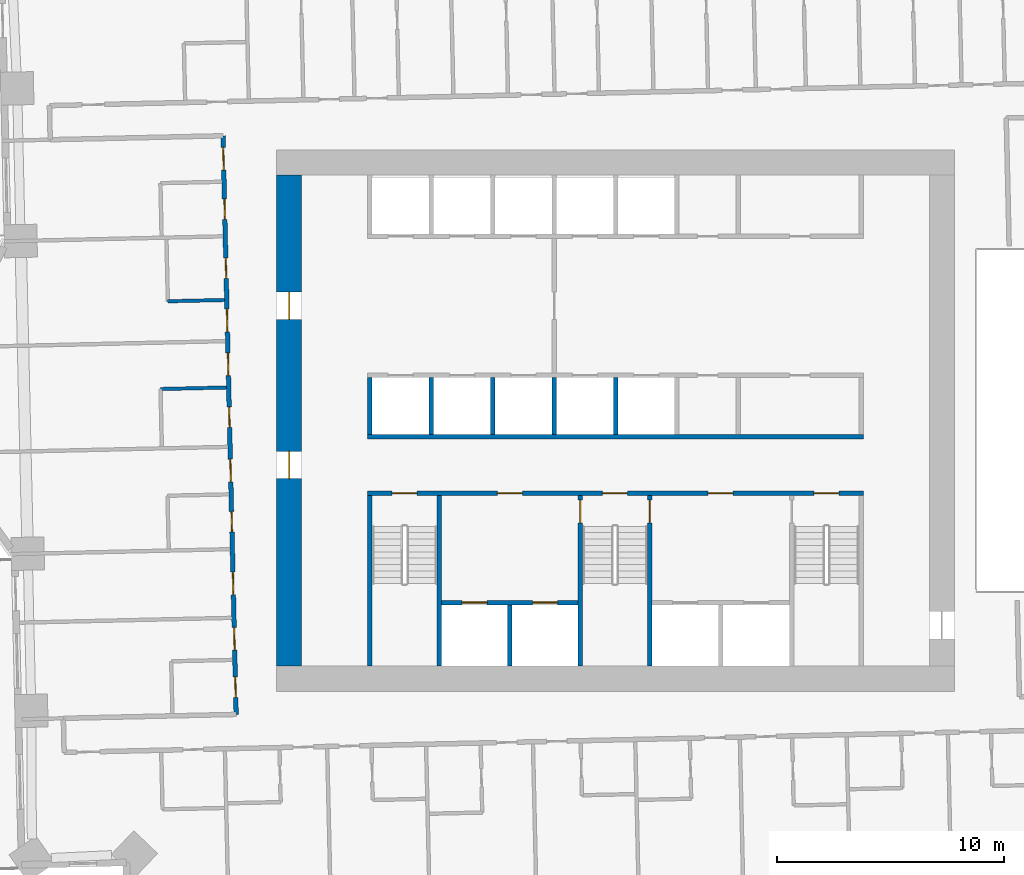
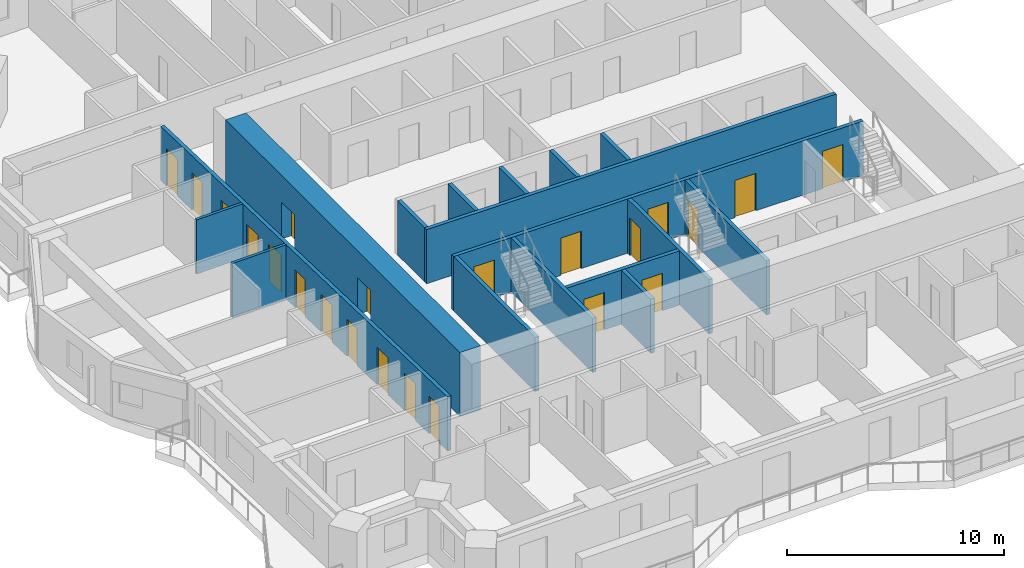
# One storey, part 8 of 17: 22 doors, 17 walls, 22 openings.
"""IFC4 building model written with IfcOpenShell, lengths in metres."""

from ifc_helpers import new_model, si_unit, direction, frame, frame_2d, origin, place, context, subcontext, project, spatial, rectangle, extrude, material, layer, layer_set, type_object, element, fill, save


model = new_model("IFC4")

# Units and contexts
model_context = context("Model", 3, precision=1e-05, world=origin(), true_north=direction((0.0, 1.0)))
body_context = subcontext(model_context, "Body", "Model", "MODEL_VIEW")
ifc_project = project(units=[si_unit("LENGTHUNIT", "METRE"), si_unit("AREAUNIT", "SQUARE_METRE"), si_unit("VOLUMEUNIT", "CUBIC_METRE"), si_unit("PLANEANGLEUNIT", "RADIAN"), si_unit("MASSUNIT", "GRAM", prefix="KILO")], contexts=[model_context])

# Site, building, storey
site_placement = place(None, origin())
site = spatial("IfcSite", under=ifc_project, at=site_placement, CompositionType="ELEMENT")
building_placement = place(site_placement, origin())
building = spatial("IfcBuilding", under=site, at=building_placement, Name="Mangrove Gate Tower", CompositionType="ELEMENT")
storey_placement = place(building_placement, frame((0.0, 0.0, 79.300048828125)))
storey = spatial("IfcBuildingStorey", under=building, at=storey_placement, Name="L19", CompositionType="ELEMENT", Elevation=79.300048828125)

# Wall
ifc_material_1 = material(Name="Concrete C70/85", Category="concrete")
ifc_layer_1 = layer(ifc_material_1, 0.199951171875)
ifc_layer_set_1 = layer_set([ifc_layer_1], Name="Core shaft wall 200 C70/85")
wall_type_1 = type_object("IfcWallType", Name="Core shaft wall 200 C70/85", PredefinedType="SHEAR", material=ifc_layer_set_1)
wall_1_placement = place(storey_placement, frame((-10.89990234375, -0.699951171875, 0.0), z_axis=(0.0, 0.0, 1.0), x_axis=(1.0, 0.0, 0.0)))
element("IfcWall", 1, at=wall_1_placement, inside=storey, type_object=wall_type_1, Name="WALL-L19-CORE-6", PredefinedType="SHEAR", context=body_context, shape_type="SweptSolid", body=[
    extrude(rectangle(XDim=21.7998046875, YDim=0.199951171875, at=frame_2d((10.89990234375, 0.0))), origin(), (0.0, 0.0, 1.0), 3.050048828125),
])

# Wall, openings, doors
wall_2_placement = place(storey_placement, frame((-7.64990234375, -8.0, 0.0), z_axis=(0.0, 0.0, 1.0), x_axis=(1.0, 0.0, 0.0)))
wall_2 = element("IfcWall", 2, at=wall_2_placement, inside=storey, type_object=wall_type_1, Name="WALL-L19-CORE-15", PredefinedType="SHEAR", context=body_context, shape_type="SweptSolid", body=[
    extrude(rectangle(XDim=6.0, YDim=0.199951171875, at=frame_2d((3.0, 0.0))), origin(), (0.0, 0.0, 1.0), 3.050048828125),
])
opening_1_placement = place(wall_2_placement, frame((0.89990234375, 0.0, 0.0)))
opening_1 = element("IfcOpeningElement", 3, at=opening_1_placement, cuts=wall_2, Name="Opening LD", PredefinedType="OPENING", context=body_context, shape_type="SweptSolid", body=[
    extrude(rectangle(XDim=1.10009765625, YDim=2.10009765625, at=frame_2d((0.550048828125, 1.050048828125))), frame((0.0, 0.10986328125, 0.0), z_axis=(0.0, -1.0, 0.0), x_axis=(1.0, 0.0, 0.0)), (0.0, 0.0, 1.0), 0.219970703125),
])
opening_2_placement = place(wall_2_placement, frame((4.0, 0.0, 0.0)))
opening_2 = element("IfcOpeningElement", 4, at=opening_2_placement, cuts=wall_2, Name="Opening LD", PredefinedType="OPENING", context=body_context, shape_type="SweptSolid", body=[
    extrude(rectangle(XDim=1.10009765625, YDim=2.10009765625, at=frame_2d((0.550048828125, 1.050048828125))), frame((0.0, 0.10986328125, 0.0), z_axis=(0.0, -1.0, 0.0), x_axis=(1.0, 0.0, 0.0)), (0.0, 0.0, 1.0), 0.219970703125),
])
ifc_material_2 = material(Name="Stainless steel 316", Category="steel")
door_type_1 = type_object("IfcDoorType", Name="Lift landing door 1100x2100", OperationType="SLIDING_TO_LEFT", PredefinedType="DOOR", material=ifc_material_2)
door_1_placement = place(opening_1_placement, origin())
door_1 = element("IfcDoor", 5, at=door_1_placement, inside=storey, type_object=door_type_1, Name="Landing door LD SVL1", OperationType="SLIDING_TO_LEFT", OverallHeight=2.10009765625, OverallWidth=1.10009765625, PredefinedType="DOOR", context=body_context, shape_type="SweptSolid", body=[
    extrude(rectangle(XDim=1.10009765625, YDim=2.10009765625, at=frame_2d((0.550048828125, 1.050048828125))), frame((0.0, 0.02490234375, 0.0), z_axis=(0.0, -1.0, 0.0), x_axis=(1.0, 0.0, 0.0)), (0.0, 0.0, 1.0), 0.050048828125),
])
fill(opening_1, door_1)
door_2_placement = place(opening_2_placement, origin())
door_2 = element("IfcDoor", 6, at=door_2_placement, inside=storey, type_object=door_type_1, Name="Landing door LD SVL2", OperationType="SLIDING_TO_LEFT", OverallHeight=2.10009765625, OverallWidth=1.10009765625, PredefinedType="DOOR", context=body_context, shape_type="SweptSolid", body=[
    extrude(rectangle(XDim=1.10009765625, YDim=2.10009765625, at=frame_2d((0.550048828125, 1.050048828125))), frame((0.0, 0.02490234375, 0.0), z_axis=(0.0, -1.0, 0.0), x_axis=(1.0, 0.0, 0.0)), (0.0, 0.0, 1.0), 0.050048828125),
])
fill(opening_2, door_2)

# Walls
wall_3_placement = place(storey_placement, frame((-4.64990234375, -10.800048828125, 0.0), z_axis=(0.0, 0.0, 1.0), x_axis=(0.0, 1.0, 0.0)))
element("IfcWall", 7, at=wall_3_placement, inside=storey, type_object=wall_type_1, Name="WALL-L19-CORE-16", PredefinedType="SHEAR", context=body_context, shape_type="SweptSolid", body=[
    extrude(rectangle(XDim=2.699951171875, YDim=0.199951171875, at=frame_2d((1.35009765625, 0.0))), origin(), (0.0, 0.0, 1.0), 3.050048828125),
])
for number, where, z_axis, x_axis, name in (
    (8, (-10.800048828125, -0.60009765625, 0.0), (0.0, 0.0, 1.0), (0.0, 1.0, 0.0), "WALL-L19-CORE-19"),
    (9, (-8.10009765625, -0.60009765625, 0.0), (0.0, 0.0, 1.0), (0.0, 1.0, 0.0), "WALL-L19-CORE-20"),
    (10, (-5.39990234375, -0.60009765625, 0.0), (0.0, 0.0, 1.0), (0.0, 1.0, 0.0), "WALL-L19-CORE-21"),
    (11, (-2.699951171875, -0.60009765625, 0.0), (0.0, 0.0, 1.0), (0.0, 1.0, 0.0), "WALL-L19-CORE-22"),
    (12, (0.0, -0.60009765625, 0.0), (0.0, 0.0, 1.0), (0.0, 1.0, 0.0), "WALL-L19-CORE-23"),
):
    element("IfcWall", number, at=place(storey_placement, frame(where, z_axis=z_axis, x_axis=x_axis)), inside=storey, type_object=wall_type_1, Name=name, PredefinedType="SHEAR", context=body_context, shape_type="SweptSolid", body=[
        extrude(rectangle(XDim=2.5, YDim=0.199951171875, at=frame_2d((1.25, 0.0))), origin(), (0.0, 0.0, 1.0), 3.050048828125),
    ])

# Wall, openings, doors
ifc_material_3 = material(Name="Concrete C70/85", Category="concrete")
ifc_layer_2 = layer(ifc_material_3, 0.199951171875)
ifc_layer_set_2 = layer_set([ifc_layer_2], Name="Core stair wall 200 C70/85")
wall_type_2 = type_object("IfcWallType", Name="Core stair wall 200 C70/85", PredefinedType="SHEAR", material=ifc_layer_set_2)
wall_4_placement = place(storey_placement, frame((-10.89990234375, -3.199951171875, 0.0), z_axis=(0.0, 0.0, 1.0), x_axis=(1.0, 0.0, 0.0)))
wall_4 = element("IfcWall", 13, at=wall_4_placement, inside=storey, type_object=wall_type_2, Name="WALL-L19-CORE-5", PredefinedType="SHEAR", context=body_context, shape_type="SweptSolid", body=[
    extrude(rectangle(XDim=21.7998046875, YDim=0.199951171875, at=frame_2d((10.89990234375, 0.0))), origin(), (0.0, 0.0, 1.0), 3.050048828125),
])
opening_3_placement = place(wall_4_placement, frame((1.074951171875, 0.0, 0.0)))
opening_3 = element("IfcOpeningElement", 14, at=opening_3_placement, cuts=wall_4, Name="Opening STD11", PredefinedType="OPENING", context=body_context, shape_type="SweptSolid", body=[
    extrude(rectangle(XDim=1.10009765625, YDim=2.10009765625, at=frame_2d((0.550048828125, 1.050048828125))), frame((0.0, 0.10986328125, 0.0), z_axis=(0.0, -1.0, 0.0), x_axis=(1.0, 0.0, 0.0)), (0.0, 0.0, 1.0), 0.219970703125),
])
opening_4_placement = place(wall_4_placement, frame((10.324951171875, 0.0, 0.0)))
opening_4 = element("IfcOpeningElement", 15, at=opening_4_placement, cuts=wall_4, Name="Opening STD11", PredefinedType="OPENING", context=body_context, shape_type="SweptSolid", body=[
    extrude(rectangle(XDim=1.10009765625, YDim=2.10009765625, at=frame_2d((0.550048828125, 1.050048828125))), frame((0.0, 0.10986328125, 0.0), z_axis=(0.0, -1.0, 0.0), x_axis=(1.0, 0.0, 0.0)), (0.0, 0.0, 1.0), 0.219970703125),
])
opening_5_placement = place(wall_4_placement, frame((19.625, 0.0, 0.0)))
opening_5 = element("IfcOpeningElement", 16, at=opening_5_placement, cuts=wall_4, Name="Opening STD11", PredefinedType="OPENING", context=body_context, shape_type="SweptSolid", body=[
    extrude(rectangle(XDim=1.10009765625, YDim=2.10009765625, at=frame_2d((0.550048828125, 1.050048828125))), frame((0.0, 0.10986328125, 0.0), z_axis=(0.0, -1.0, 0.0), x_axis=(1.0, 0.0, 0.0)), (0.0, 0.0, 1.0), 0.219970703125),
])
opening_6_placement = place(wall_4_placement, frame((5.699951171875, 0.0, 0.0)))
opening_6 = element("IfcOpeningElement", 17, at=opening_6_placement, cuts=wall_4, Name="Opening FL", PredefinedType="OPENING", context=body_context, shape_type="SweptSolid", body=[
    extrude(rectangle(XDim=1.10009765625, YDim=2.10009765625, at=frame_2d((0.550048828125, 1.050048828125))), frame((0.0, 0.10986328125, 0.0), z_axis=(0.0, -1.0, 0.0), x_axis=(1.0, 0.0, 0.0)), (0.0, 0.0, 1.0), 0.219970703125),
])
opening_7_placement = place(wall_4_placement, frame((14.97509765625, 0.0, 0.0)))
opening_7 = element("IfcOpeningElement", 18, at=opening_7_placement, cuts=wall_4, Name="Opening FL", PredefinedType="OPENING", context=body_context, shape_type="SweptSolid", body=[
    extrude(rectangle(XDim=1.10009765625, YDim=2.10009765625, at=frame_2d((0.550048828125, 1.050048828125))), frame((0.0, 0.10986328125, 0.0), z_axis=(0.0, -1.0, 0.0), x_axis=(1.0, 0.0, 0.0)), (0.0, 0.0, 1.0), 0.219970703125),
])
ifc_material_4 = material(Name="Fire-rated steel door set", Category="steel")
door_type_2 = type_object("IfcDoorType", Name="Lobby door FD60 1100x2100", OperationType="SINGLE_SWING_LEFT", PredefinedType="DOOR", material=ifc_material_4)
door_3_placement = place(opening_6_placement, origin())
door_3 = element("IfcDoor", 19, at=door_3_placement, inside=storey, type_object=door_type_2, Name="Lobby door service lobby", OperationType="SINGLE_SWING_LEFT", OverallHeight=2.10009765625, OverallWidth=1.10009765625, PredefinedType="DOOR", context=body_context, shape_type="SweptSolid", body=[
    extrude(rectangle(XDim=1.10009765625, YDim=2.10009765625, at=frame_2d((0.550048828125, 1.050048828125))), frame((0.0, 0.02490234375, 0.0), z_axis=(0.0, -1.0, 0.0), x_axis=(1.0, 0.0, 0.0)), (0.0, 0.0, 1.0), 0.050048828125),
])
fill(opening_6, door_3)
door_4_placement = place(opening_7_placement, origin())
door_4 = element("IfcDoor", 20, at=door_4_placement, inside=storey, type_object=door_type_2, Name="Lobby door fire-fighting lobby", OperationType="SINGLE_SWING_LEFT", OverallHeight=2.10009765625, OverallWidth=1.10009765625, PredefinedType="DOOR", context=body_context, shape_type="SweptSolid", body=[
    extrude(rectangle(XDim=1.10009765625, YDim=2.10009765625, at=frame_2d((0.550048828125, 1.050048828125))), frame((0.0, 0.02490234375, 0.0), z_axis=(0.0, -1.0, 0.0), x_axis=(1.0, 0.0, 0.0)), (0.0, 0.0, 1.0), 0.050048828125),
])
fill(opening_7, door_4)
ifc_material_5 = material(Name="Fire-rated steel door set", Category="steel")
door_type_3 = type_object("IfcDoorType", Name="Stair door FD60 1100x2100", OperationType="SINGLE_SWING_RIGHT", PredefinedType="DOOR", material=ifc_material_5)
door_5_placement = place(opening_3_placement, origin())
door_5 = element("IfcDoor", 21, at=door_5_placement, inside=storey, type_object=door_type_3, Name="Stair door Stair 1", OperationType="SINGLE_SWING_RIGHT", OverallHeight=2.10009765625, OverallWidth=1.10009765625, PredefinedType="DOOR", context=body_context, shape_type="SweptSolid", body=[
    extrude(rectangle(XDim=1.10009765625, YDim=2.10009765625, at=frame_2d((0.550048828125, 1.050048828125))), frame((0.0, 0.02490234375, 0.0), z_axis=(0.0, -1.0, 0.0), x_axis=(1.0, 0.0, 0.0)), (0.0, 0.0, 1.0), 0.050048828125),
])
fill(opening_3, door_5)
door_6_placement = place(opening_4_placement, origin())
door_6 = element("IfcDoor", 22, at=door_6_placement, inside=storey, type_object=door_type_3, Name="Stair door Stair 2", OperationType="SINGLE_SWING_RIGHT", OverallHeight=2.10009765625, OverallWidth=1.10009765625, PredefinedType="DOOR", context=body_context, shape_type="SweptSolid", body=[
    extrude(rectangle(XDim=1.10009765625, YDim=2.10009765625, at=frame_2d((0.550048828125, 1.050048828125))), frame((0.0, 0.02490234375, 0.0), z_axis=(0.0, -1.0, 0.0), x_axis=(1.0, 0.0, 0.0)), (0.0, 0.0, 1.0), 0.050048828125),
])
fill(opening_4, door_6)
door_7_placement = place(opening_5_placement, origin())
door_7 = element("IfcDoor", 23, at=door_7_placement, inside=storey, type_object=door_type_3, Name="Stair door Stair 3", OperationType="SINGLE_SWING_RIGHT", OverallHeight=2.10009765625, OverallWidth=1.10009765625, PredefinedType="DOOR", context=body_context, shape_type="SweptSolid", body=[
    extrude(rectangle(XDim=1.10009765625, YDim=2.10009765625, at=frame_2d((0.550048828125, 1.050048828125))), frame((0.0, 0.02490234375, 0.0), z_axis=(0.0, -1.0, 0.0), x_axis=(1.0, 0.0, 0.0)), (0.0, 0.0, 1.0), 0.050048828125),
])
fill(opening_5, door_7)

# Walls
for number, where, z_axis, x_axis, name in (
    (24, (-10.800048828125, -10.800048828125, 0.0), (0.0, 0.0, 1.0), (0.0, 1.0, 0.0), "WALL-L19-CORE-9"),
    (25, (-7.75, -10.800048828125, 0.0), (0.0, 0.0, 1.0), (0.0, 1.0, 0.0), "WALL-L19-CORE-10"),
):
    element("IfcWall", number, at=place(storey_placement, frame(where, z_axis=z_axis, x_axis=x_axis)), inside=storey, type_object=wall_type_2, Name=name, PredefinedType="SHEAR", context=body_context, shape_type="SweptSolid", body=[
        extrude(rectangle(XDim=7.5, YDim=0.199951171875, at=frame_2d((3.75, 0.0))), origin(), (0.0, 0.0, 1.0), 3.050048828125),
    ])

# Wall, opening, door
wall_5_placement = place(storey_placement, frame((-1.550048828125, -10.800048828125, 0.0), z_axis=(0.0, 0.0, 1.0), x_axis=(0.0, 1.0, 0.0)))
wall_5 = element("IfcWall", 26, at=wall_5_placement, inside=storey, type_object=wall_type_2, Name="WALL-L19-CORE-11", PredefinedType="SHEAR", context=body_context, shape_type="SweptSolid", body=[
    extrude(rectangle(XDim=7.5, YDim=0.199951171875, at=frame_2d((3.75, 0.0))), origin(), (0.0, 0.0, 1.0), 3.050048828125),
])
opening_8_placement = place(wall_5_placement, frame((6.300048828125, 0.0, 0.0)))
opening_8 = element("IfcOpeningElement", 27, at=opening_8_placement, cuts=wall_5, Name="Opening STD10", PredefinedType="OPENING", context=body_context, shape_type="SweptSolid", body=[
    extrude(rectangle(XDim=1.0, YDim=2.10009765625, at=frame_2d((0.5, 1.050048828125))), frame((0.0, 0.10986328125, 0.0), z_axis=(0.0, -1.0, 0.0), x_axis=(1.0, 0.0, 0.0)), (0.0, 0.0, 1.0), 0.219970703125),
])
ifc_material_6 = material(Name="Fire-rated steel door set", Category="steel")
door_type_4 = type_object("IfcDoorType", Name="Stair door FD60 1000x2100", OperationType="SINGLE_SWING_RIGHT", PredefinedType="DOOR", material=ifc_material_6)
door_8_placement = place(opening_8_placement, origin())
door_8 = element("IfcDoor", 28, at=door_8_placement, inside=storey, type_object=door_type_4, Name="Stair door Stair 2 from service lobby", OperationType="SINGLE_SWING_RIGHT", OverallHeight=2.10009765625, OverallWidth=1.0, PredefinedType="DOOR", context=body_context, shape_type="SweptSolid", body=[
    extrude(rectangle(XDim=1.0, YDim=2.10009765625, at=frame_2d((0.5, 1.050048828125))), frame((0.0, 0.02490234375, 0.0), z_axis=(0.0, -1.0, 0.0), x_axis=(1.0, 0.0, 0.0)), (0.0, 0.0, 1.0), 0.050048828125),
])
fill(opening_8, door_8)

wall_6_placement = place(storey_placement, frame((1.5, -10.800048828125, 0.0), z_axis=(0.0, 0.0, 1.0), x_axis=(0.0, 1.0, 0.0)))
wall_6 = element("IfcWall", 29, at=wall_6_placement, inside=storey, type_object=wall_type_2, Name="WALL-L19-CORE-12", PredefinedType="SHEAR", context=body_context, shape_type="SweptSolid", body=[
    extrude(rectangle(XDim=7.5, YDim=0.199951171875, at=frame_2d((3.75, 0.0))), origin(), (0.0, 0.0, 1.0), 3.050048828125),
])
opening_9_placement = place(wall_6_placement, frame((6.300048828125, 0.0, 0.0)))
opening_9 = element("IfcOpeningElement", 30, at=opening_9_placement, cuts=wall_6, Name="Opening STD10", PredefinedType="OPENING", context=body_context, shape_type="SweptSolid", body=[
    extrude(rectangle(XDim=1.0, YDim=2.10009765625, at=frame_2d((0.5, 1.050048828125))), frame((0.0, 0.10986328125, 0.0), z_axis=(0.0, -1.0, 0.0), x_axis=(1.0, 0.0, 0.0)), (0.0, 0.0, 1.0), 0.219970703125),
])
door_9_placement = place(opening_9_placement, origin())
door_9 = element("IfcDoor", 31, at=door_9_placement, inside=storey, type_object=door_type_4, Name="Stair door Stair 2 from fire-fighting lobby", OperationType="SINGLE_SWING_RIGHT", OverallHeight=2.10009765625, OverallWidth=1.0, PredefinedType="DOOR", context=body_context, shape_type="SweptSolid", body=[
    extrude(rectangle(XDim=1.0, YDim=2.10009765625, at=frame_2d((0.5, 1.050048828125))), frame((0.0, 0.02490234375, 0.0), z_axis=(0.0, -1.0, 0.0), x_axis=(1.0, 0.0, 0.0)), (0.0, 0.0, 1.0), 0.050048828125),
])
fill(opening_9, door_9)

# Wall, openings, doors
ifc_material_7 = material(Name="Concrete C70/85", Category="concrete")
ifc_layer_3 = layer(ifc_material_7, 1.10009765625)
ifc_layer_set_3 = layer_set([ifc_layer_3], Name="Core wall 1100 C70/85")
wall_type_3 = type_object("IfcWallType", Name="Core wall 1100 C70/85", PredefinedType="SHEAR", material=ifc_layer_set_3)
wall_7_placement = place(storey_placement, frame((-14.35009765625, -10.800048828125, 0.0), z_axis=(0.0, 0.0, 1.0), x_axis=(0.0, 1.0, 0.0)))
wall_7 = element("IfcWall", 32, at=wall_7_placement, inside=storey, type_object=wall_type_3, Name="WALL-L19-CORE-3", PredefinedType="SHEAR", context=body_context, shape_type="SweptSolid", body=[
    extrude(rectangle(XDim=21.60009765625, YDim=1.10009765625, at=frame_2d((10.800048828125, 0.0))), origin(), (0.0, 0.0, 1.0), 3.599853515625),
])
opening_10_placement = place(wall_7_placement, frame((8.25, 0.0, 0.0)))
opening_10 = element("IfcOpeningElement", 33, at=opening_10_placement, cuts=wall_7, Name="Opening CD", PredefinedType="OPENING", context=body_context, shape_type="SweptSolid", body=[
    extrude(rectangle(XDim=1.199951171875, YDim=2.10009765625, at=frame_2d((0.60009765625, 1.050048828125))), frame((0.0, 0.56005859375, 0.0), z_axis=(0.0, -1.0, 0.0), x_axis=(1.0, 0.0, 0.0)), (0.0, 0.0, 1.0), 1.1201171875),
])
opening_11_placement = place(wall_7_placement, frame((15.25, 0.0, 0.0)))
opening_11 = element("IfcOpeningElement", 34, at=opening_11_placement, cuts=wall_7, Name="Opening CD", PredefinedType="OPENING", context=body_context, shape_type="SweptSolid", body=[
    extrude(rectangle(XDim=1.199951171875, YDim=2.10009765625, at=frame_2d((0.60009765625, 1.050048828125))), frame((0.0, 0.56005859375, 0.0), z_axis=(0.0, -1.0, 0.0), x_axis=(1.0, 0.0, 0.0)), (0.0, 0.0, 1.0), 1.1201171875),
])
ifc_material_8 = material(Name="Fire-rated steel door set", Category="steel")
door_type_5 = type_object("IfcDoorType", Name="Core ring door FD60 1200x2100", OperationType="DOUBLE_DOOR_SINGLE_SWING", PredefinedType="DOOR", material=ifc_material_8)
door_10_placement = place(opening_10_placement, origin())
door_10 = element("IfcDoor", 35, at=door_10_placement, inside=storey, type_object=door_type_5, Name="Core ring door W1", OperationType="DOUBLE_DOOR_SINGLE_SWING", OverallHeight=2.10009765625, OverallWidth=1.199951171875, PredefinedType="DOOR", context=body_context, shape_type="SweptSolid", body=[
    extrude(rectangle(XDim=1.199951171875, YDim=2.10009765625, at=frame_2d((0.60009765625, 1.050048828125))), frame((0.0, 0.02490234375, 0.0), z_axis=(0.0, -1.0, 0.0), x_axis=(1.0, 0.0, 0.0)), (0.0, 0.0, 1.0), 0.050048828125),
])
fill(opening_10, door_10)
door_11_placement = place(opening_11_placement, origin())
door_11 = element("IfcDoor", 36, at=door_11_placement, inside=storey, type_object=door_type_5, Name="Core ring door W2", OperationType="DOUBLE_DOOR_SINGLE_SWING", OverallHeight=2.10009765625, OverallWidth=1.199951171875, PredefinedType="DOOR", context=body_context, shape_type="SweptSolid", body=[
    extrude(rectangle(XDim=1.199951171875, YDim=2.10009765625, at=frame_2d((0.60009765625, 1.050048828125))), frame((0.0, 0.02490234375, 0.0), z_axis=(0.0, -1.0, 0.0), x_axis=(1.0, 0.0, 0.0)), (0.0, 0.0, 1.0), 0.050048828125),
])
fill(opening_11, door_11)

ifc_material_9 = material(Name="Gypsum board on steel stud, EI 60", Category="steel")
ifc_layer_4 = layer(ifc_material_9, 0.199951171875)
ifc_layer_set_4 = layer_set([ifc_layer_4], Name="Corridor wall EI 60")
wall_type_4 = type_object("IfcWallType", Name="Corridor wall EI 60", PredefinedType="PARTITIONING", material=ifc_layer_set_4)
wall_8_placement = place(storey_placement, frame((-16.68408203125, -12.9189453125, 0.0), z_axis=(0.0, 0.0, 1.0), x_axis=(-0.022706151961, 0.999742182097, 0.0)))
wall_8 = element("IfcWall", 37, at=wall_8_placement, inside=storey, type_object=wall_type_4, Name="WALL-L19-036", PredefinedType="PARTITIONING", context=body_context, shape_type="SweptSolid", body=[
    extrude(rectangle(XDim=25.450439453125, YDim=0.199951171875, at=frame_2d((12.72509765625, 0.0))), origin(), (0.0, 0.0, 1.0), 3.050048828125),
])
opening_12_placement = place(wall_8_placement, frame((23.93798828125, 0.0, 0.0)))
opening_12 = element("IfcOpeningElement", 38, at=opening_12_placement, cuts=wall_8, Name="Opening AD", PredefinedType="OPENING", context=body_context, shape_type="SweptSolid", body=[
    extrude(rectangle(XDim=1.0, YDim=2.10009765625, at=frame_2d((0.5, 1.050048828125))), frame((0.0, 0.10986328125, 0.0), z_axis=(0.0, -1.0, 0.0), x_axis=(1.0, 0.0, 0.0)), (0.0, 0.0, 1.0), 0.219970703125),
])
opening_13_placement = place(wall_8_placement, frame((21.77490234375, 0.0, 0.0)))
opening_13 = element("IfcOpeningElement", 39, at=opening_13_placement, cuts=wall_8, Name="Opening SD", PredefinedType="OPENING", context=body_context, shape_type="SweptSolid", body=[
    extrude(rectangle(XDim=0.89990234375, YDim=2.10009765625, at=frame_2d((0.449951171875, 1.050048828125))), frame((0.0, 0.10986328125, 0.0), z_axis=(0.0, -1.0, 0.0), x_axis=(1.0, 0.0, 0.0)), (0.0, 0.0, 1.0), 0.219970703125),
])
opening_14_placement = place(wall_8_placement, frame((16.824951171875, 0.0, 0.0)))
opening_14 = element("IfcOpeningElement", 40, at=opening_14_placement, cuts=wall_8, Name="Opening AD", PredefinedType="OPENING", context=body_context, shape_type="SweptSolid", body=[
    extrude(rectangle(XDim=1.0, YDim=2.10009765625, at=frame_2d((0.5, 1.050048828125))), frame((0.0, 0.10986328125, 0.0), z_axis=(0.0, -1.0, 0.0), x_axis=(1.0, 0.0, 0.0)), (0.0, 0.0, 1.0), 0.219970703125),
])
opening_15_placement = place(wall_8_placement, frame((19.175048828125, 0.0, 0.0)))
opening_15 = element("IfcOpeningElement", 41, at=opening_15_placement, cuts=wall_8, Name="Opening SD", PredefinedType="OPENING", context=body_context, shape_type="SweptSolid", body=[
    extrude(rectangle(XDim=0.89990234375, YDim=2.10009765625, at=frame_2d((0.449951171875, 1.050048828125))), frame((0.0, 0.10986328125, 0.0), z_axis=(0.0, -1.0, 0.0), x_axis=(1.0, 0.0, 0.0)), (0.0, 0.0, 1.0), 0.219970703125),
])
opening_16_placement = place(wall_8_placement, frame((14.89990234375, 0.0, 0.0)))
opening_16 = element("IfcOpeningElement", 42, at=opening_16_placement, cuts=wall_8, Name="Opening AD", PredefinedType="OPENING", context=body_context, shape_type="SweptSolid", body=[
    extrude(rectangle(XDim=1.0, YDim=2.10009765625, at=frame_2d((0.5, 1.050048828125))), frame((0.0, 0.10986328125, 0.0), z_axis=(0.0, -1.0, 0.0), x_axis=(1.0, 0.0, 0.0)), (0.0, 0.0, 1.0), 0.219970703125),
])
opening_17_placement = place(wall_8_placement, frame((12.625, 0.0, 0.0)))
opening_17 = element("IfcOpeningElement", 43, at=opening_17_placement, cuts=wall_8, Name="Opening SD", PredefinedType="OPENING", context=body_context, shape_type="SweptSolid", body=[
    extrude(rectangle(XDim=0.89990234375, YDim=2.10009765625, at=frame_2d((0.449951171875, 1.050048828125))), frame((0.0, 0.10986328125, 0.0), z_axis=(0.0, -1.0, 0.0), x_axis=(1.0, 0.0, 0.0)), (0.0, 0.0, 1.0), 0.219970703125),
])
opening_18_placement = place(wall_8_placement, frame((10.22509765625, 0.0, 0.0)))
opening_18 = element("IfcOpeningElement", 44, at=opening_18_placement, cuts=wall_8, Name="Opening AD", PredefinedType="OPENING", context=body_context, shape_type="SweptSolid", body=[
    extrude(rectangle(XDim=1.0, YDim=2.10009765625, at=frame_2d((0.5, 1.050048828125))), frame((0.0, 0.10986328125, 0.0), z_axis=(0.0, -1.0, 0.0), x_axis=(1.0, 0.0, 0.0)), (0.0, 0.0, 1.0), 0.219970703125),
])
opening_19_placement = place(wall_8_placement, frame((8.02490234375, 0.0, 0.0)))
opening_19 = element("IfcOpeningElement", 45, at=opening_19_placement, cuts=wall_8, Name="Opening SD", PredefinedType="OPENING", context=body_context, shape_type="SweptSolid", body=[
    extrude(rectangle(XDim=0.89990234375, YDim=2.10009765625, at=frame_2d((0.449951171875, 1.050048828125))), frame((0.0, 0.10986328125, 0.0), z_axis=(0.0, -1.0, 0.0), x_axis=(1.0, 0.0, 0.0)), (0.0, 0.0, 1.0), 0.219970703125),
])
opening_20_placement = place(wall_8_placement, frame((5.261962890625, 0.0, 0.0)))
opening_20 = element("IfcOpeningElement", 46, at=opening_20_placement, cuts=wall_8, Name="Opening AD", PredefinedType="OPENING", context=body_context, shape_type="SweptSolid", body=[
    extrude(rectangle(XDim=1.0, YDim=2.10009765625, at=frame_2d((0.5, 1.050048828125))), frame((0.0, 0.10986328125, 0.0), z_axis=(0.0, -1.0, 0.0), x_axis=(1.0, 0.0, 0.0)), (0.0, 0.0, 1.0), 0.219970703125),
])
opening_21_placement = place(wall_8_placement, frame((2.824951171875, 0.0, 0.0)))
opening_21 = element("IfcOpeningElement", 47, at=opening_21_placement, cuts=wall_8, Name="Opening AD", PredefinedType="OPENING", context=body_context, shape_type="SweptSolid", body=[
    extrude(rectangle(XDim=1.0, YDim=2.10009765625, at=frame_2d((0.5, 1.050048828125))), frame((0.0, 0.10986328125, 0.0), z_axis=(0.0, -1.0, 0.0), x_axis=(1.0, 0.0, 0.0)), (0.0, 0.0, 1.0), 0.219970703125),
])
opening_22_placement = place(wall_8_placement, frame((0.75, 0.0, 0.0)))
opening_22 = element("IfcOpeningElement", 48, at=opening_22_placement, cuts=wall_8, Name="Opening SD", PredefinedType="OPENING", context=body_context, shape_type="SweptSolid", body=[
    extrude(rectangle(XDim=0.89990234375, YDim=2.10009765625, at=frame_2d((0.449951171875, 1.050048828125))), frame((0.0, 0.10986328125, 0.0), z_axis=(0.0, -1.0, 0.0), x_axis=(1.0, 0.0, 0.0)), (0.0, 0.0, 1.0), 0.219970703125),
])
ifc_material_10 = material(Name="Timber door leaf", Category="wood")
door_type_6 = type_object("IfcDoorType", Name="Amenity door 1000", OperationType="SINGLE_SWING_LEFT", PredefinedType="DOOR", material=ifc_material_10)
door_12_placement = place(opening_12_placement, origin())
door_12 = element("IfcDoor", 49, at=door_12_placement, inside=storey, type_object=door_type_6, Name="DOOR-L19-GAM-c5b", OperationType="SINGLE_SWING_LEFT", OverallHeight=2.10009765625, OverallWidth=1.0, PredefinedType="DOOR", context=body_context, shape_type="SweptSolid", body=[
    extrude(rectangle(XDim=1.0, YDim=2.10009765625, at=frame_2d((0.5, 1.050048828125))), frame((0.0, 0.02490234375, 0.0), z_axis=(0.0, -1.0, 0.0), x_axis=(1.0, 0.0, 0.0)), (0.0, 0.0, 1.0), 0.050048828125),
])
fill(opening_12, door_12)
door_13_placement = place(opening_14_placement, origin())
door_13 = element("IfcDoor", 50, at=door_13_placement, inside=storey, type_object=door_type_6, Name="DOOR-L19-STU-c5a", OperationType="SINGLE_SWING_RIGHT", OverallHeight=2.10009765625, OverallWidth=1.0, PredefinedType="DOOR", context=body_context, shape_type="SweptSolid", body=[
    extrude(rectangle(XDim=1.0, YDim=2.10009765625, at=frame_2d((0.5, 1.050048828125))), frame((0.0, 0.02490234375, 0.0), z_axis=(0.0, -1.0, 0.0), x_axis=(1.0, 0.0, 0.0)), (0.0, 0.0, 1.0), 0.050048828125),
])
fill(opening_14, door_13)
door_14_placement = place(opening_16_placement, origin())
door_14 = element("IfcDoor", 51, at=door_14_placement, inside=storey, type_object=door_type_6, Name="DOOR-L19-LNG-c5a", OperationType="SINGLE_SWING_LEFT", OverallHeight=2.10009765625, OverallWidth=1.0, PredefinedType="DOOR", context=body_context, shape_type="SweptSolid", body=[
    extrude(rectangle(XDim=1.0, YDim=2.10009765625, at=frame_2d((0.5, 1.050048828125))), frame((0.0, 0.02490234375, 0.0), z_axis=(0.0, -1.0, 0.0), x_axis=(1.0, 0.0, 0.0)), (0.0, 0.0, 1.0), 0.050048828125),
])
fill(opening_16, door_14)
door_15_placement = place(opening_18_placement, origin())
door_15 = element("IfcDoor", 52, at=door_15_placement, inside=storey, type_object=door_type_6, Name="DOOR-L19-GAM-c5c", OperationType="SINGLE_SWING_RIGHT", OverallHeight=2.10009765625, OverallWidth=1.0, PredefinedType="DOOR", context=body_context, shape_type="SweptSolid", body=[
    extrude(rectangle(XDim=1.0, YDim=2.10009765625, at=frame_2d((0.5, 1.050048828125))), frame((0.0, 0.02490234375, 0.0), z_axis=(0.0, -1.0, 0.0), x_axis=(1.0, 0.0, 0.0)), (0.0, 0.0, 1.0), 0.050048828125),
])
fill(opening_18, door_15)
door_16_placement = place(opening_20_placement, origin())
door_16 = element("IfcDoor", 53, at=door_16_placement, inside=storey, type_object=door_type_6, Name="DOOR-L19-STU-c5b", OperationType="SINGLE_SWING_LEFT", OverallHeight=2.10009765625, OverallWidth=1.0, PredefinedType="DOOR", context=body_context, shape_type="SweptSolid", body=[
    extrude(rectangle(XDim=1.0, YDim=2.10009765625, at=frame_2d((0.5, 1.050048828125))), frame((0.0, 0.02490234375, 0.0), z_axis=(0.0, -1.0, 0.0), x_axis=(1.0, 0.0, 0.0)), (0.0, 0.0, 1.0), 0.050048828125),
])
fill(opening_20, door_16)
door_17_placement = place(opening_21_placement, origin())
door_17 = element("IfcDoor", 54, at=door_17_placement, inside=storey, type_object=door_type_6, Name="DOOR-L19-LNG-c5b", OperationType="SINGLE_SWING_RIGHT", OverallHeight=2.10009765625, OverallWidth=1.0, PredefinedType="DOOR", context=body_context, shape_type="SweptSolid", body=[
    extrude(rectangle(XDim=1.0, YDim=2.10009765625, at=frame_2d((0.5, 1.050048828125))), frame((0.0, 0.02490234375, 0.0), z_axis=(0.0, -1.0, 0.0), x_axis=(1.0, 0.0, 0.0)), (0.0, 0.0, 1.0), 0.050048828125),
])
fill(opening_21, door_17)
ifc_material_11 = material(Name="Timber door leaf", Category="wood")
door_type_7 = type_object("IfcDoorType", Name="Service room door 900", OperationType="SINGLE_SWING_LEFT", PredefinedType="DOOR", material=ifc_material_11)
door_18_placement = place(opening_13_placement, origin())
door_18 = element("IfcDoor", 55, at=door_18_placement, inside=storey, type_object=door_type_7, Name="DOOR-L19-WC-c5a", OperationType="SINGLE_SWING_LEFT", OverallHeight=2.10009765625, OverallWidth=0.89990234375, PredefinedType="DOOR", context=body_context, shape_type="SweptSolid", body=[
    extrude(rectangle(XDim=0.89990234375, YDim=2.10009765625, at=frame_2d((0.449951171875, 1.050048828125))), frame((0.0, 0.02490234375, 0.0), z_axis=(0.0, -1.0, 0.0), x_axis=(1.0, 0.0, 0.0)), (0.0, 0.0, 1.0), 0.050048828125),
])
fill(opening_13, door_18)
door_19_placement = place(opening_15_placement, origin())
door_19 = element("IfcDoor", 56, at=door_19_placement, inside=storey, type_object=door_type_7, Name="DOOR-L19-LDY-c5b", OperationType="SINGLE_SWING_RIGHT", OverallHeight=2.10009765625, OverallWidth=0.89990234375, PredefinedType="DOOR", context=body_context, shape_type="SweptSolid", body=[
    extrude(rectangle(XDim=0.89990234375, YDim=2.10009765625, at=frame_2d((0.449951171875, 1.050048828125))), frame((0.0, 0.02490234375, 0.0), z_axis=(0.0, -1.0, 0.0), x_axis=(1.0, 0.0, 0.0)), (0.0, 0.0, 1.0), 0.050048828125),
])
fill(opening_15, door_19)
door_20_placement = place(opening_17_placement, origin())
door_20 = element("IfcDoor", 57, at=door_20_placement, inside=storey, type_object=door_type_7, Name="DOOR-L19-AWC-c5a", OperationType="SINGLE_SWING_LEFT", OverallHeight=2.10009765625, OverallWidth=0.89990234375, PredefinedType="DOOR", context=body_context, shape_type="SweptSolid", body=[
    extrude(rectangle(XDim=0.89990234375, YDim=2.10009765625, at=frame_2d((0.449951171875, 1.050048828125))), frame((0.0, 0.02490234375, 0.0), z_axis=(0.0, -1.0, 0.0), x_axis=(1.0, 0.0, 0.0)), (0.0, 0.0, 1.0), 0.050048828125),
])
fill(opening_17, door_20)
door_21_placement = place(opening_19_placement, origin())
door_21 = element("IfcDoor", 58, at=door_21_placement, inside=storey, type_object=door_type_7, Name="DOOR-L19-WC-c5b", OperationType="SINGLE_SWING_RIGHT", OverallHeight=2.10009765625, OverallWidth=0.89990234375, PredefinedType="DOOR", context=body_context, shape_type="SweptSolid", body=[
    extrude(rectangle(XDim=0.89990234375, YDim=2.10009765625, at=frame_2d((0.449951171875, 1.050048828125))), frame((0.0, 0.02490234375, 0.0), z_axis=(0.0, -1.0, 0.0), x_axis=(1.0, 0.0, 0.0)), (0.0, 0.0, 1.0), 0.050048828125),
])
fill(opening_19, door_21)
door_22_placement = place(opening_22_placement, origin())
door_22 = element("IfcDoor", 59, at=door_22_placement, inside=storey, type_object=door_type_7, Name="DOOR-L19-WC-c5c", OperationType="SINGLE_SWING_LEFT", OverallHeight=2.10009765625, OverallWidth=0.89990234375, PredefinedType="DOOR", context=body_context, shape_type="SweptSolid", body=[
    extrude(rectangle(XDim=0.89990234375, YDim=2.10009765625, at=frame_2d((0.449951171875, 1.050048828125))), frame((0.0, 0.02490234375, 0.0), z_axis=(0.0, -1.0, 0.0), x_axis=(1.0, 0.0, 0.0)), (0.0, 0.0, 1.0), 0.050048828125),
])
fill(opening_22, door_22)

# Walls
ifc_material_12 = material(Name="Gypsum board on steel stud, EI 60", Category="steel")
ifc_layer_5 = layer(ifc_material_12, 0.14990234375)
ifc_layer_set_5 = layer_set([ifc_layer_5], Name="Party wall 150 EI 60")
wall_type_5 = type_object("IfcWallType", Name="Party wall 150 EI 60", PredefinedType="PARTITIONING", material=ifc_layer_set_5)
wall_9_placement = place(storey_placement, frame((-20.0048828125, 1.389892578125, 0.0), z_axis=(0.0, 0.0, 1.0), x_axis=(0.999739832865, 0.022809352981, 0.0)))
element("IfcWall", 60, at=wall_9_placement, inside=storey, type_object=wall_type_5, Name="WALL-L19-047", PredefinedType="PARTITIONING", context=body_context, shape_type="SweptSolid", body=[
    extrude(rectangle(XDim=2.900634765625, YDim=0.14990234375, at=frame_2d((1.4501953125, 0.0))), origin(), (0.0, 0.0, 1.0), 3.050048828125),
])
wall_10_placement = place(storey_placement, frame((-19.69189453125, 5.248046875, 0.0), z_axis=(0.0, 0.0, 1.0), x_axis=(0.999740977561, 0.022759125332, 0.0)))
element("IfcWall", 61, at=wall_10_placement, inside=storey, type_object=wall_type_5, Name="WALL-L19-050", PredefinedType="PARTITIONING", context=body_context, shape_type="SweptSolid", body=[
    extrude(rectangle(XDim=2.49951171875, YDim=0.14990234375, at=frame_2d((1.249755859375, 0.0))), origin(), (0.0, 0.0, 1.0), 3.050048828125),
])

save(model, "model.ifc")
